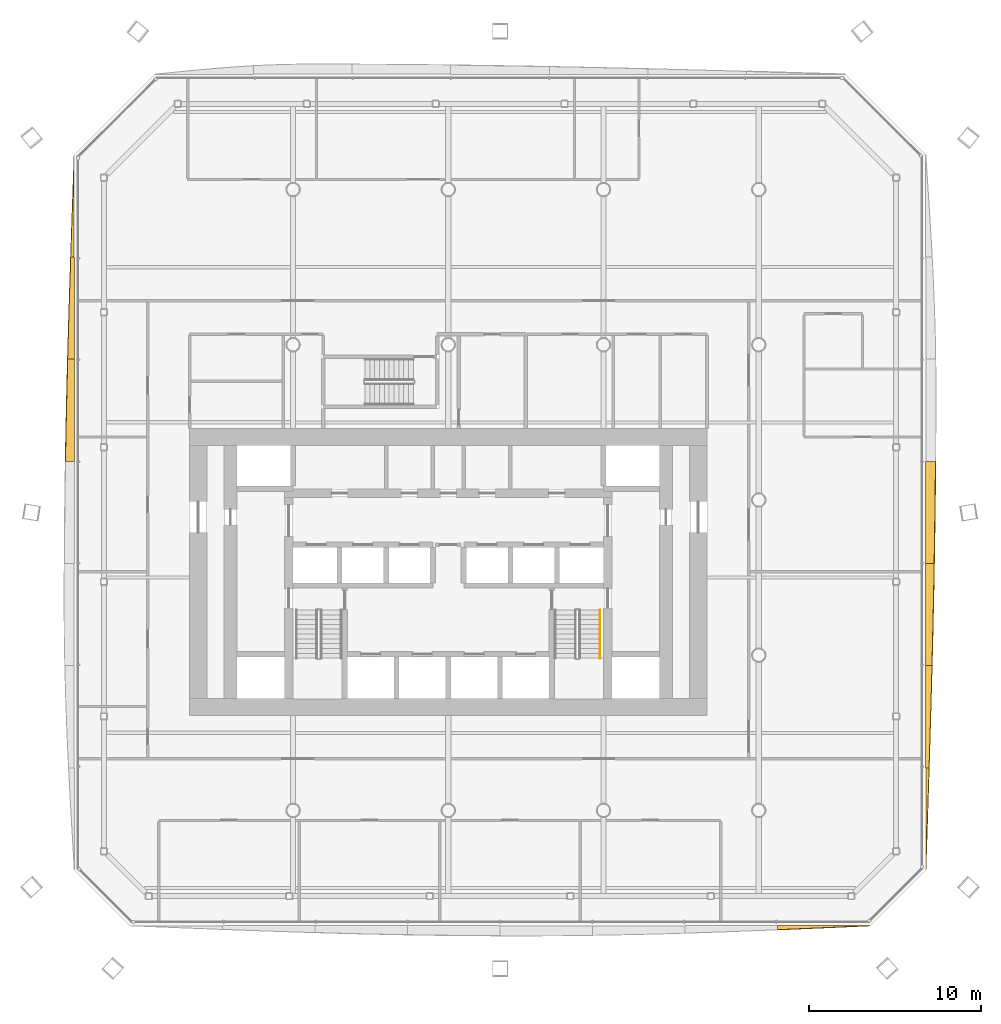
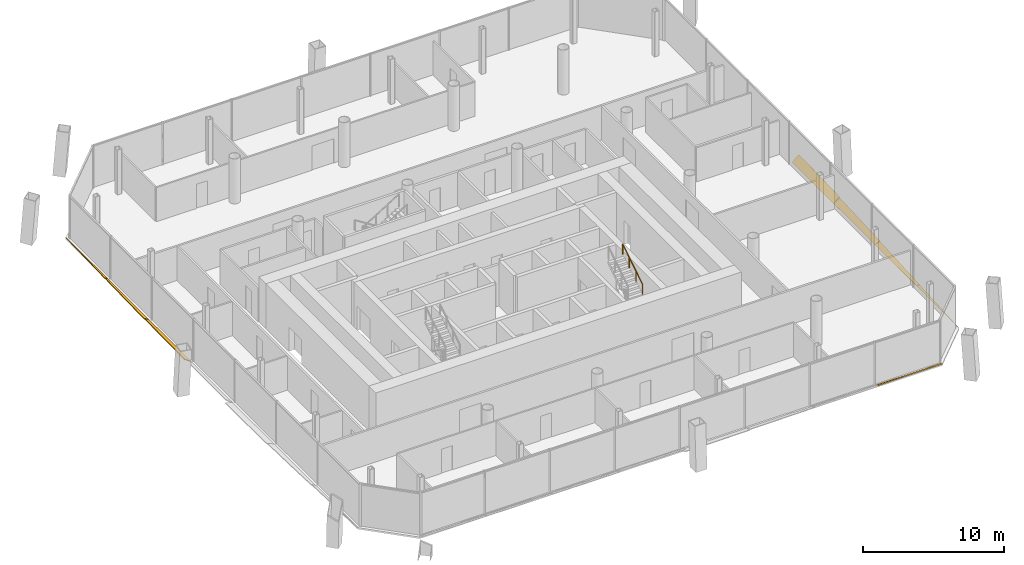
# One storey, part 17 of 19: 8 shading devices, 1 railing.
"""IFC4 building model written with IfcOpenShell, lengths in metres."""

from ifc_helpers import new_model, si_unit, direction, frame, origin, origin_2d, place, context, subcontext, project, spatial, polyline, circle, outline, extrude, material, layer, layer_set, type_object, element, save


model = new_model("IFC4")

# Units and contexts
model_context = context("Model", 3, precision=1e-05, world=origin(), true_north=direction((0.0, 1.0)))
body_context = subcontext(model_context, "Body", "Model", "MODEL_VIEW")
ifc_project = project(units=[si_unit("LENGTHUNIT", "METRE"), si_unit("AREAUNIT", "SQUARE_METRE"), si_unit("VOLUMEUNIT", "CUBIC_METRE"), si_unit("PLANEANGLEUNIT", "RADIAN"), si_unit("MASSUNIT", "GRAM", prefix="KILO")], contexts=[model_context])

# Site, building, storey
site_placement = place(None, origin())
site = spatial("IfcSite", under=ifc_project, at=site_placement, CompositionType="ELEMENT")
building_placement = place(site_placement, origin())
building = spatial("IfcBuilding", under=site, at=building_placement, Name="Tskaro Facet Tower", CompositionType="ELEMENT")
storey_placement = place(building_placement, frame((0.0, 0.0, 93.300048828125)))
storey = spatial("IfcBuildingStorey", under=building, at=storey_placement, Name="L22", CompositionType="ELEMENT", Elevation=93.300048828125)

# Shading devices
ifc_material_1 = material(Name="Bronze anodised aluminium 6063-T6", Category="aluminium")
ifc_layer = layer(ifc_material_1, 0.06005859375, Name="Bronze anodised aluminium 6063-T6")
ifc_layer_set = layer_set([ifc_layer], Name="Bronze anodised aluminium 6063-T6")
shading_device_type = type_object("IfcShadingDeviceType", Name="Bronze sun blade (FN1)", PredefinedType="USERDEFINED", material=ifc_layer_set)
shading_device_1_placement = place(storey_placement, frame((19.089111328125, -24.678466796875, 0.049072265625), z_axis=(1.3192073e-05, 0.573378010679, 0.819290947525), x_axis=(0.999999999913, -7.564045e-06, -1.0808146e-05)))
element("IfcShadingDevice", 1, at=shading_device_1_placement, inside=storey, type_object=shading_device_type, Name="Fin blade south 8", ObjectType="FIN", PredefinedType="USERDEFINED", context=body_context, shape_type="SweptSolid", body=[
    extrude(outline(polyline([(0.0, 0.0), (5.362792968283355, 0.0), (4.692626952138746, -0.03698143662971299), (4.022216798007866, -0.07382288839352547), (3.351806642030296, -0.11046431795333497), (2.681396484206035, -0.1469057253091415), (2.010986327965808, -0.1826671185251411), (1.3405761698788903, -0.21822848953713767), (0.670166015222697, -0.25330986861333027), (-9.178645178700859e-10, -0.28731118914171), (0.0, 0.0)])), origin(), (0.0, 0.0, -1.0), 0.06005859375),
])
shading_device_2_placement = place(storey_placement, frame((27.687744140625, -21.451904296875, 0.054443359375), z_axis=(-0.4222667356, -1.2120111e-05, 0.906471623306), x_axis=(-5.11792e-06, 0.999999999927, 1.0986537e-05)))
element("IfcShadingDevice", 2, at=shading_device_2_placement, inside=storey, type_object=shading_device_type, Name="Fin blade east 1", ObjectType="FIN", PredefinedType="USERDEFINED", context=body_context, shape_type="SweptSolid", body=[
    extrude(outline(polyline([(0.0, 0.0), (5.924072265189886, 0.0), (5.9240722660457115, -0.21145748280965396), (5.183593751157412, -0.18589729223637524), (4.443115234836345, -0.16001270264966796), (3.70239257770702, -0.1335824075008572), (2.9619140612026773, -0.10715211235204644), (2.221435545947827, -0.08050051065456071), (1.4809570319424687, -0.0536276024084), (0.7404785140053584, -0.02687290824616071), (0.0, 0.0)])), origin(), (0.0, 0.0, -1.0), 0.06005859375),
])
shading_device_3_placement = place(storey_placement, frame((27.68310546875, -15.52783203125, 0.052001953125), z_axis=(-0.499839736133, -3.27219e-07, 0.866117912401), x_axis=(-1.63557e-07, 1.0, 2.83411e-07)))
element("IfcShadingDevice", 3, at=shading_device_3_placement, inside=storey, type_object=shading_device_type, Name="Fin blade east 2", ObjectType="FIN", PredefinedType="USERDEFINED", context=body_context, shape_type="SweptSolid", body=[
    extrude(outline(polyline([(0.0, 0.0), (5.924072265624683, -1.5680888721561888e-22), (5.924072265624766, -0.4185907602006844), (5.1835937500114495, -0.3960609601874454), (4.443115234379542, -0.3726527340976756), (3.7026367187183737, -0.3489110222538691), (2.9621582031078058, -0.32441291551911117), (2.2214355468829083, -0.2993698684618592), (1.4809570312936804, -0.2737818810821131), (0.7404785156059994, -0.24773837676275096), (-1.8197218000929682e-12, -0.2212719633064741), (0.0, 0.0)])), origin(), (0.0, 0.0, -1.0), 0.06005859375),
])
shading_device_4_placement = place(storey_placement, frame((27.678466796875, -9.603759765625, 0.049072265625), z_axis=(-0.573501171956, -1.3161025e-05, 0.819204739727), x_axis=(-7.547863e-06, 0.999999999913, 1.0781574e-05)))
element("IfcShadingDevice", 4, at=shading_device_4_placement, inside=storey, type_object=shading_device_type, Name="Fin blade east 3", ObjectType="FIN", PredefinedType="USERDEFINED", context=body_context, shape_type="SweptSolid", body=[
    extrude(outline(polyline([(0.0, 0.0), (5.924072265111938, -5.017884390899804e-21), (5.924072266315394, -0.6026634871660994), (5.183593748659157, -0.5858628249813005), (4.443115233898922, -0.5683221443903981), (3.7026367186129847, -0.5495614143670712), (2.962158203590828, -0.5299206510030688), (2.221679686989711, -0.5095998554555684), (1.481201172495113, -0.4881990254102153), (0.7404785150070964, -0.46577814708961496), (-8.026817962371671e-10, -0.44281725152008833), (0.0, 0.0)])), origin(), (0.0, 0.0, -1.0), 0.06005859375),
])
shading_device_5_placement = place(storey_placement, frame((27.67431640625, -3.6796875, 0.0458984375), z_axis=(-0.642703790928, -9.058901e-06, 0.766114767541), x_axis=(-5.82219e-06, 0.999999999959, 6.940158e-06)))
element("IfcShadingDevice", 5, at=shading_device_5_placement, inside=storey, type_object=shading_device_type, Name="Fin blade east 4", ObjectType="FIN", PredefinedType="USERDEFINED", context=body_context, shape_type="SweptSolid", body=[
    extrude(outline(polyline([(0.0, 0.0), (5.9243164060069144, -5.0180911860529424e-21), (5.924316406513135, -0.7444686345996714), (5.183837889178108, -0.7363406188305524), (4.443115234936506, -0.7269635841601216), (3.702636718533756, -0.716053840010916), (2.9621582030065556, -0.7042691564367526), (2.221679687809023, -0.6909216337508508), (1.481201171792666, -0.6765422615347778), (0.7407226563789185, -0.6609440000503568), (-4.786432930733626e-10, -0.6443138890357645), (0.0, 0.0)])), origin(), (0.0, 0.0, -1.0), 0.06005859375),
])
shading_device_6_placement = place(storey_placement, frame((-21.687744140625, 20.01708984375, 0.054443359375), z_axis=(0.422186084404, 1.4519574e-05, 0.906509189101), x_axis=(6.129962e-06, -0.999999999895, 1.3162127e-05)))
element("IfcShadingDevice", 6, at=shading_device_6_placement, inside=storey, type_object=shading_device_type, Name="Fin blade west 1", ObjectType="FIN", PredefinedType="USERDEFINED", context=body_context, shape_type="SweptSolid", body=[
    extrude(outline(polyline([(0.0, 0.0), (5.924316405625524, 0.0), (5.924316406884793, -0.22707675236354297), (5.183593749119617, -0.19955505574450227), (4.443115233475987, -0.17181204340544287), (3.70263671932893, -0.14384771534636479), (2.9621582017481987, -0.11523461029820206), (2.221679687380877, -0.08672457802456295), (1.4812011712967186, -0.05789015725638154), (0.7407226567091328, -0.028834420768181414), (0.0, 0.0)])), origin(), (0.0, 0.0, -1.0), 0.06005859375),
])
shading_device_7_placement = place(storey_placement, frame((-21.68310546875, 14.0927734375, 0.052001953125), z_axis=(0.499901082258, 8.747267e-06, 0.866082506393), x_axis=(4.372768e-06, -0.999999999962, 7.575855e-06)))
element("IfcShadingDevice", 7, at=shading_device_7_placement, inside=storey, type_object=shading_device_type, Name="Fin blade west 2", ObjectType="FIN", PredefinedType="USERDEFINED", context=body_context, shape_type="SweptSolid", body=[
    extrude(outline(polyline([(0.0, 0.0), (5.924072265398361, -2.508942195449902e-21), (5.924072266516194, -0.44517921501082003), (5.183593749680743, -0.42198243340039954), (4.443115233416426, -0.39769577576696624), (3.702392577880255, -0.37265273419760603), (2.9619140632546417, -0.34706475461673936), (2.2214355462830175, -0.32047629877461503), (1.4809570314465346, -0.29346495108364967), (0.7404785150460439, -0.26578661921851254), (7.806941442849825e-10, -0.23768539550453438), (0.0, 0.0)])), origin(), (0.0, 0.0, -1.0), 0.06005859375),
])
shading_device_8_placement = place(storey_placement, frame((-21.678466796875, 8.168701171875, 0.049072265625), z_axis=(0.573528575593, -5.730227e-06, 0.819185554649), x_axis=(-3.286449e-06, -0.999999999984, -4.694119e-06)))
element("IfcShadingDevice", 8, at=shading_device_8_placement, inside=storey, type_object=shading_device_type, Name="Fin blade west 3", ObjectType="FIN", PredefinedType="USERDEFINED", context=body_context, shape_type="SweptSolid", body=[
    extrude(outline(polyline([(0.0, 0.0), (5.924072265527741, 2.508942195449902e-21), (5.924072266049085, -0.6305645639972446), (5.1835937495119655, -0.6145839543172991), (4.443115234005856, -0.5975832903427262), (3.7026367179260427, -0.5791625791269132), (2.962158202877238, -0.5597218136164728), (2.2214355474320904, -0.5390609973380986), (1.4809570316945662, -0.5173201519166937), (0.7404785158420255, -0.4946992738255641), (2.1813752362163614e-10, -0.4708583449665008), (0.0, 0.0)])), origin(), (0.0, 0.0, -1.0), 0.06005859375),
])

# Railing
ifc_material_2 = material(Name="Stainless steel", Category="steel")
railing_type = type_object("IfcRailingType", Name="RL-HANDRAIL-900", PredefinedType="HANDRAIL", material=ifc_material_2)
railing_placement = place(storey_placement, frame((8.800048828125, -9.175048828125, 2.127197265625)))
element("IfcRailing", 9, at=railing_placement, inside=storey, type_object=railing_type, Name="L22 ST-2 stair handrail 2", PredefinedType="HANDRAIL", context=body_context, shape_type="SweptSolid", body=[
    extrude(circle(Radius=0.02392578125, at=origin_2d()), frame((0.0, 0.0, 0.8759765625), z_axis=(0.0, 0.844908973607, 0.534910110503), x_axis=(-1.0, 0.0, 0.0)), (0.0, 0.0, 1.0), 3.31396484375),
    extrude(circle(Radius=0.02099609375, at=origin_2d()), origin(), (0.0, 0.0, 1.0), 0.851806640625),
    extrude(circle(Radius=0.02099609375, at=origin_2d()), frame((0.0, 0.933349609375, 0.5908203125)), (0.0, 0.0, 1.0), 0.851806640625),
    extrude(circle(Radius=0.02099609375, at=origin_2d()), frame((0.0, 1.86669921875, 1.181884765625)), (0.0, 0.0, 1.0), 0.851806640625),
    extrude(circle(Radius=0.02099609375, at=origin_2d()), frame((0.0, 2.800048828125, 1.772705078125)), (0.0, 0.0, 1.0), 0.851806640625),
])

save(model, "model.ifc")
